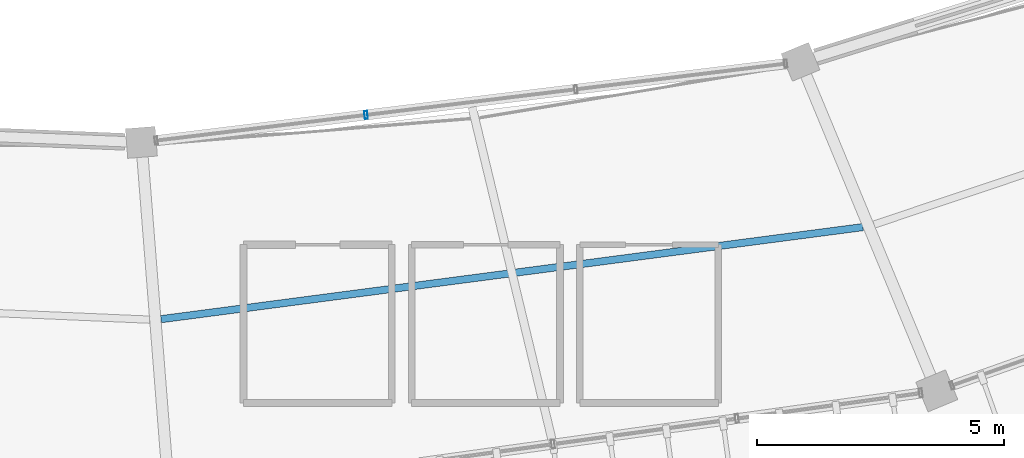
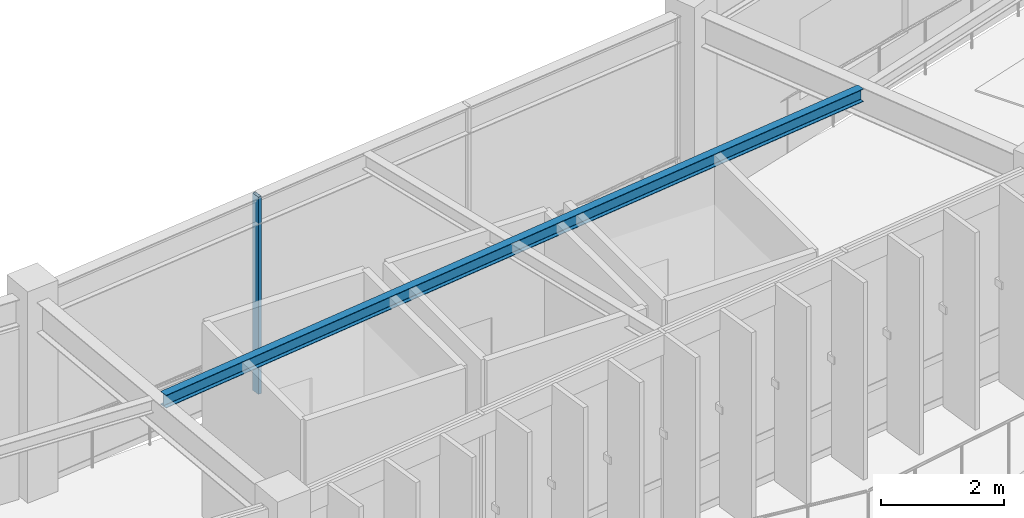
# One storey, part 48 of 114: 1 beam, 1 member, 1 element without a shape of its own.
"""IFC4 building model written with IfcOpenShell, lengths in metres."""

from ifc_helpers import new_model, si_unit, direction, frame, origin, origin_2d, place, context, subcontext, project, spatial, hollow_rectangle, i_section, extrude, material, material_profile, profile_set, type_object, element, aggregate, save


model = new_model("IFC4")

# Units and contexts
model_context = context("Model", 3, precision=1e-05, world=origin(), true_north=direction((0.0, 1.0)))
body_context = subcontext(model_context, "Body", "Model", "MODEL_VIEW")
ifc_project = project(units=[si_unit("LENGTHUNIT", "METRE"), si_unit("AREAUNIT", "SQUARE_METRE"), si_unit("VOLUMEUNIT", "CUBIC_METRE"), si_unit("PLANEANGLEUNIT", "RADIAN"), si_unit("MASSUNIT", "GRAM", prefix="KILO"), si_unit("THERMODYNAMICTEMPERATUREUNIT", "KELVIN"), si_unit("POWERUNIT", "WATT")], contexts=[model_context])

# Site, building, storey
site_placement = place(None, origin())
site = spatial("IfcSite", under=ifc_project, at=site_placement, CompositionType="ELEMENT")
building_placement = place(site_placement, origin())
building = spatial("IfcBuilding", under=site, at=building_placement, Name="Darbajah Civic Hall", CompositionType="ELEMENT")
storey_placement = place(building_placement, frame((0.0, 0.0, 13.800048828125)))
storey = spatial("IfcBuildingStorey", under=building, at=storey_placement, Name="L03", CompositionType="ELEMENT", Elevation=13.800048828125)

# Curtain wall, member
ifc_material_1 = material(Name="Anodised Bronze Aluminium and Low-E Glazing", Category="aluminium")
curtain_wall_type = type_object("IfcCurtainWallType", Name="Unitised Curtain Wall CW-50 12800x3900", PredefinedType="USERDEFINED", material=ifc_material_1)
curtain_wall_placement = place(storey_placement, origin())
curtain_wall = element("IfcCurtainWall", 1, at=curtain_wall_placement, inside=storey, type_object=curtain_wall_type, Name="L03 unitised curtain wall CW-V1I-L03-15", ObjectType="UNITISED CURTAIN WALL", PredefinedType="USERDEFINED")
ifc_material_2 = material(Name="Anodised Bronze Aluminium", Category="aluminium")
ifc_material_profile_1 = material_profile(ifc_material_2, hollow_rectangle(XDim=0.06005859375, YDim=0.159912109375, WallThickness=0.00341796875, at=origin_2d()), Name="ALU MULLION 60x160")
ifc_profile_set_1 = profile_set([ifc_material_profile_1], Name="Anodised Bronze Aluminium")
member_type = type_object("IfcMemberType", Name="ALU MULLION 60x160", PredefinedType="MULLION", material=ifc_profile_set_1)
member_placement = place(storey_placement, frame((97.078125, 68.123779296875, 0.0), z_axis=(0.0, 0.0, 1.0), x_axis=(0.992609826221, 0.121349630774, 0.0)))
member = element("IfcMember", 2, at=member_placement, type_object=member_type, Name="CW-V1I-L03-15 mullion 2", PredefinedType="MULLION", context=body_context, shape_type="SweptSolid", body=[
    extrude(hollow_rectangle(XDim=0.06005859375, YDim=0.159912109375, WallThickness=0.00341796875, at=origin_2d()), origin(), (0.0, 0.0, 1.0), 3.919921875),
])
aggregate(curtain_wall, [member])

# Beam
ifc_material_3 = material(Name="Steel S355JR", Category="steel")
ifc_material_profile_2 = material_profile(ifc_material_3, i_section(OverallWidth=0.146484375, OverallDepth=0.256103515625, WebThickness=0.00634765625, FlangeThickness=0.010986328125, FilletRadius=0.007568359375, at=origin_2d()), Name="UB 254x146x37")
ifc_profile_set_2 = profile_set([ifc_material_profile_2], Name="Steel S355JR")
beam_type = type_object("IfcBeamType", Name="UB 254x146x37", PredefinedType="JOIST", material=ifc_profile_set_2)
beam_placement = place(storey_placement, frame((92.93408203125, 63.994873046875, 3.7919921875), z_axis=(0.991504446027, 0.130072800801, 0.0), x_axis=(-0.130072800801, 0.991504446027, 0.0)))
element("IfcBeam", 3, at=beam_placement, inside=storey, type_object=beam_type, Name="L03 beam SJ-254", PredefinedType="JOIST", context=body_context, shape_type="SweptSolid", body=[
    extrude(i_section(OverallWidth=0.146484375, OverallDepth=0.256103515625, WebThickness=0.00634765625, FlangeThickness=0.010986328125, FilletRadius=0.007568359375, at=origin_2d()), origin(), (0.0, 0.0, 1.0), 14.311767578125),
])

save(model, "model.ifc")
